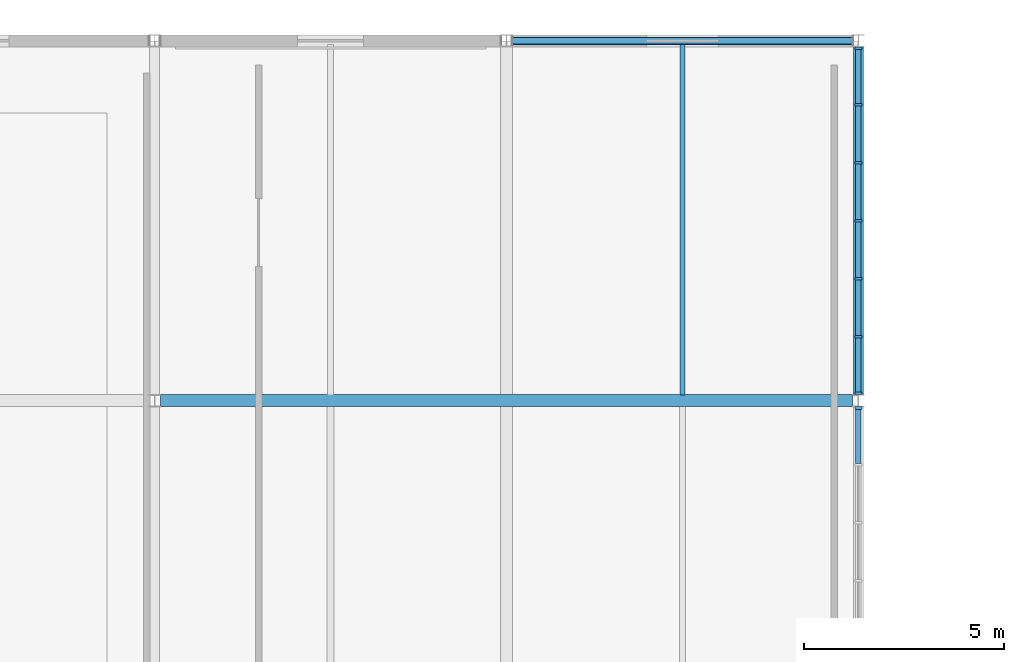
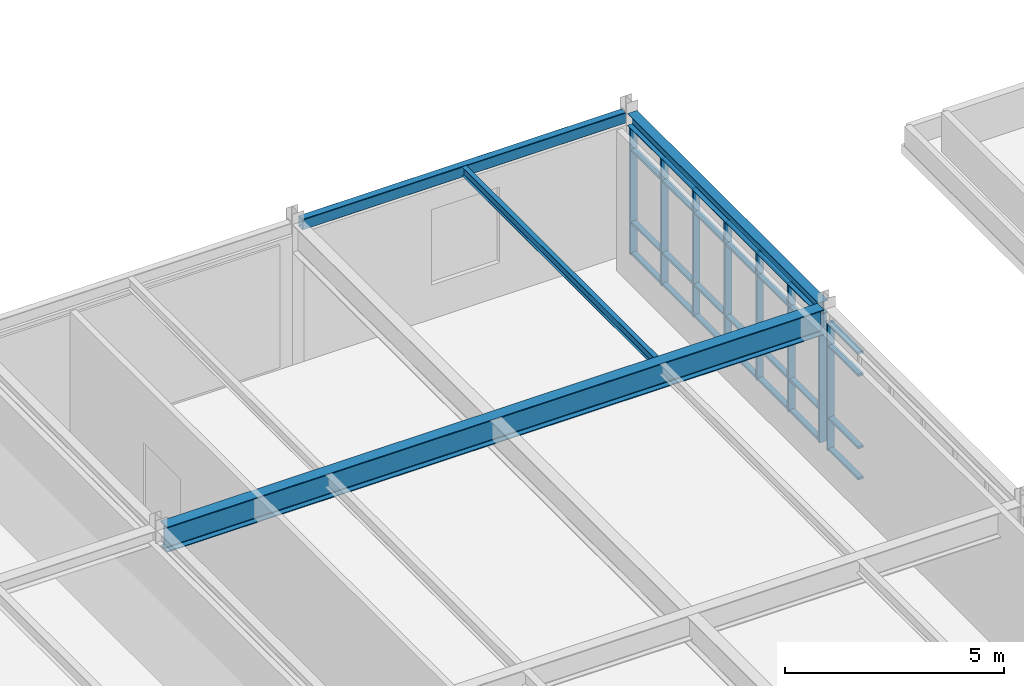
# One storey, part 35 of 88: 36 members, 4 beams, 2 elements without a shape of their own.
"""IFC4 building model written with IfcOpenShell, lengths in metres."""

from ifc_helpers import new_model, si_unit, direction, frame, origin, origin_2d, place, context, subcontext, project, spatial, rectangle, hollow_rectangle, i_section, extrude, material, material_profile, profile_set, type_object, element, aggregate, save


model = new_model("IFC4")

# Units and contexts
model_context = context("Model", 3, precision=1e-05, world=origin(), true_north=direction((0.0, 1.0)))
body_context = subcontext(model_context, "Body", "Model", "MODEL_VIEW")
ifc_project = project(units=[si_unit("LENGTHUNIT", "METRE"), si_unit("AREAUNIT", "SQUARE_METRE"), si_unit("VOLUMEUNIT", "CUBIC_METRE"), si_unit("PLANEANGLEUNIT", "RADIAN"), si_unit("MASSUNIT", "GRAM", prefix="KILO")], contexts=[model_context])

# Site, building, storey
site_placement = place(None, origin())
site = spatial("IfcSite", under=ifc_project, at=site_placement, CompositionType="ELEMENT")
building_placement = place(site_placement, origin())
building = spatial("IfcBuilding", under=site, at=building_placement, Name="Zhaolan Boulevard Law Courts", CompositionType="ELEMENT")
storey_placement = place(building_placement, frame((0.0, 0.0, 16.199951171875)))
storey = spatial("IfcBuildingStorey", under=building, at=storey_placement, Name="L03", CompositionType="ELEMENT", Elevation=16.199951171875)

# Curtain wall, member
ifc_material_1 = material(Name="Thermally broken aluminium and low-E glazing", Category="aluminium")
curtain_wall_type_1 = type_object("IfcCurtainWallType", Name="CURTAIN WALL M9", PredefinedType="USERDEFINED", material=ifc_material_1)
curtain_wall_1_placement = place(storey_placement, origin())
curtain_wall_1 = element("IfcCurtainWall", 1, at=curtain_wall_1_placement, inside=storey, type_object=curtain_wall_type_1, Name="Curtain Wall CW-L03-129", ObjectType="CURTAIN WALL", PredefinedType="USERDEFINED")
ifc_material_2 = material(Name="Fluorocarbon-coated aluminium 6063-T6", Category="aluminium")
ifc_material_profile_1 = material_profile(ifc_material_2, rectangle(XDim=0.179931640625, YDim=0.06494140625, at=origin_2d()), Name="AL65x180")
ifc_profile_set_1 = profile_set([ifc_material_profile_1], Name="Fluorocarbon-coated aluminium 6063-T6")
member_type_1 = type_object("IfcMemberType", Name="CWMULLION 65X180", PredefinedType="MULLION", material=ifc_profile_set_1)
member_1_placement = place(storey_placement, frame((44.0, 102.8154296875, 0.0), z_axis=(0.0, 0.0, 1.0), x_axis=(-1.0, 0.0, 0.0)))
member_1 = element("IfcMember", 2, at=member_1_placement, type_object=member_type_1, Name="CW-L03-129 mullion 7", PredefinedType="MULLION", context=body_context, shape_type="SweptSolid", body=[
    extrude(rectangle(XDim=0.179931640625, YDim=0.06494140625, at=origin_2d()), origin(), (0.0, 0.0, 1.0), 3.56298828125),
])

# Curtain wall, members
ifc_material_3 = material(Name="Thermally broken aluminium and low-E glazing", Category="aluminium")
curtain_wall_type_2 = type_object("IfcCurtainWallType", Name="CURTAIN WALL M10", PredefinedType="USERDEFINED", material=ifc_material_3)
curtain_wall_2_placement = place(storey_placement, origin())
curtain_wall_2 = element("IfcCurtainWall", 3, at=curtain_wall_2_placement, inside=storey, type_object=curtain_wall_type_2, Name="Curtain Wall CW-L03-130", ObjectType="CURTAIN WALL", PredefinedType="USERDEFINED")
member_2_placement = place(storey_placement, frame((44.0, 103.1845703125, 0.0), z_axis=(0.0, 0.0, 1.0), x_axis=(-1.0, 0.0, 0.0)))
member_2 = element("IfcMember", 4, at=member_2_placement, type_object=member_type_1, Name="CW-L03-130 mullion 1", PredefinedType="MULLION", context=body_context, shape_type="SweptSolid", body=[
    extrude(rectangle(XDim=0.179931640625, YDim=0.06494140625, at=origin_2d()), origin(), (0.0, 0.0, 1.0), 3.56298828125),
])
member_3_placement = place(storey_placement, frame((44.0, 104.601318359375, 0.0), z_axis=(0.0, 0.0, 1.0), x_axis=(-1.0, 0.0, 0.0)))
member_3 = element("IfcMember", 5, at=member_3_placement, type_object=member_type_1, Name="CW-L03-130 mullion 2", PredefinedType="MULLION", context=body_context, shape_type="SweptSolid", body=[
    extrude(rectangle(XDim=0.179931640625, YDim=0.06494140625, at=origin_2d()), origin(), (0.0, 0.0, 1.0), 3.56298828125),
])
member_4_placement = place(storey_placement, frame((44.0, 106.05078125, 0.0), z_axis=(0.0, 0.0, 1.0), x_axis=(-1.0, 0.0, 0.0)))
member_4 = element("IfcMember", 6, at=member_4_placement, type_object=member_type_1, Name="CW-L03-130 mullion 3", PredefinedType="MULLION", context=body_context, shape_type="SweptSolid", body=[
    extrude(rectangle(XDim=0.179931640625, YDim=0.06494140625, at=origin_2d()), origin(), (0.0, 0.0, 1.0), 3.56298828125),
])
member_5_placement = place(storey_placement, frame((44.0, 107.5, 0.0), z_axis=(0.0, 0.0, 1.0), x_axis=(-1.0, 0.0, 0.0)))
member_5 = element("IfcMember", 7, at=member_5_placement, type_object=member_type_1, Name="CW-L03-130 mullion 4", PredefinedType="MULLION", context=body_context, shape_type="SweptSolid", body=[
    extrude(rectangle(XDim=0.179931640625, YDim=0.06494140625, at=origin_2d()), origin(), (0.0, 0.0, 1.0), 3.56298828125),
])
member_6_placement = place(storey_placement, frame((44.0, 108.94921875, 0.0), z_axis=(0.0, 0.0, 1.0), x_axis=(-1.0, 0.0, 0.0)))
member_6 = element("IfcMember", 8, at=member_6_placement, type_object=member_type_1, Name="CW-L03-130 mullion 5", PredefinedType="MULLION", context=body_context, shape_type="SweptSolid", body=[
    extrude(rectangle(XDim=0.179931640625, YDim=0.06494140625, at=origin_2d()), origin(), (0.0, 0.0, 1.0), 3.56298828125),
])
member_7_placement = place(storey_placement, frame((44.0, 110.398681640625, 0.0), z_axis=(0.0, 0.0, 1.0), x_axis=(-1.0, 0.0, 0.0)))
member_7 = element("IfcMember", 9, at=member_7_placement, type_object=member_type_1, Name="CW-L03-130 mullion 6", PredefinedType="MULLION", context=body_context, shape_type="SweptSolid", body=[
    extrude(rectangle(XDim=0.179931640625, YDim=0.06494140625, at=origin_2d()), origin(), (0.0, 0.0, 1.0), 3.56298828125),
])
member_8_placement = place(storey_placement, frame((44.0, 111.8154296875, 0.0), z_axis=(0.0, 0.0, 1.0), x_axis=(-1.0, 0.0, 0.0)))
member_8 = element("IfcMember", 10, at=member_8_placement, type_object=member_type_1, Name="CW-L03-130 mullion 7", PredefinedType="MULLION", context=body_context, shape_type="SweptSolid", body=[
    extrude(rectangle(XDim=0.179931640625, YDim=0.06494140625, at=origin_2d()), origin(), (0.0, 0.0, 1.0), 3.56298828125),
])

# Member
ifc_material_4 = material(Name="Fluorocarbon-coated aluminium 6063-T6", Category="aluminium")
ifc_material_profile_2 = material_profile(ifc_material_4, rectangle(XDim=0.139892578125, YDim=0.06494140625, at=origin_2d()), Name="AL65x140")
ifc_profile_set_2 = profile_set([ifc_material_profile_2], Name="Fluorocarbon-coated aluminium 6063-T6")
member_type_2 = type_object("IfcMemberType", Name="CWTRANSOM 65X140", PredefinedType="USERDEFINED", material=ifc_profile_set_2)
member_9_placement = place(storey_placement, frame((44.0, 101.43115234375, 0.032470703125), z_axis=(0.0, 1.0, 0.0), x_axis=(-1.0, 0.0, 0.0)))
member_9 = element("IfcMember", 11, at=member_9_placement, type_object=member_type_2, Name="CW-L03-129 transom 6.1", ObjectType="TRANSOM", PredefinedType="USERDEFINED", context=body_context, shape_type="SweptSolid", body=[
    extrude(rectangle(XDim=0.139892578125, YDim=0.06494140625, at=origin_2d()), origin(), (0.0, 0.0, 1.0), 1.351806640625),
])

member_10_placement = place(storey_placement, frame((44.0, 101.43115234375, 0.900146484375), z_axis=(0.0, 1.0, 0.0), x_axis=(-1.0, 0.0, 0.0)))
member_10 = element("IfcMember", 12, at=member_10_placement, type_object=member_type_2, Name="CW-L03-129 transom 6.2", ObjectType="TRANSOM", PredefinedType="USERDEFINED", context=body_context, shape_type="SweptSolid", body=[
    extrude(rectangle(XDim=0.139892578125, YDim=0.06494140625, at=origin_2d()), origin(), (0.0, 0.0, 1.0), 1.351806640625),
])

member_11_placement = place(storey_placement, frame((44.0, 101.43115234375, 2.9130859375), z_axis=(0.0, 1.0, 0.0), x_axis=(-1.0, 0.0, 0.0)))
member_11 = element("IfcMember", 13, at=member_11_placement, type_object=member_type_2, Name="CW-L03-129 transom 6.3", ObjectType="TRANSOM", PredefinedType="USERDEFINED", context=body_context, shape_type="SweptSolid", body=[
    extrude(rectangle(XDim=0.139892578125, YDim=0.06494140625, at=origin_2d()), origin(), (0.0, 0.0, 1.0), 1.351806640625),
])

member_12_placement = place(storey_placement, frame((44.0, 101.43115234375, 3.530517578125), z_axis=(0.0, 1.0, 0.0), x_axis=(-1.0, 0.0, 0.0)))
member_12 = element("IfcMember", 14, at=member_12_placement, type_object=member_type_2, Name="CW-L03-129 transom 6.4", ObjectType="TRANSOM", PredefinedType="USERDEFINED", context=body_context, shape_type="SweptSolid", body=[
    extrude(rectangle(XDim=0.139892578125, YDim=0.06494140625, at=origin_2d()), origin(), (0.0, 0.0, 1.0), 1.351806640625),
])

aggregate(curtain_wall_1, [member_1, member_9, member_10, member_11, member_12])

member_13_placement = place(storey_placement, frame((44.0, 103.217041015625, 0.032470703125), z_axis=(0.0, 1.0, 0.0), x_axis=(-1.0, 0.0, 0.0)))
member_13 = element("IfcMember", 15, at=member_13_placement, type_object=member_type_2, Name="CW-L03-130 transom 1.1", ObjectType="TRANSOM", PredefinedType="USERDEFINED", context=body_context, shape_type="SweptSolid", body=[
    extrude(rectangle(XDim=0.139892578125, YDim=0.06494140625, at=origin_2d()), origin(), (0.0, 0.0, 1.0), 1.351806640625),
])

member_14_placement = place(storey_placement, frame((44.0, 103.217041015625, 0.900146484375), z_axis=(0.0, 1.0, 0.0), x_axis=(-1.0, 0.0, 0.0)))
member_14 = element("IfcMember", 16, at=member_14_placement, type_object=member_type_2, Name="CW-L03-130 transom 1.2", ObjectType="TRANSOM", PredefinedType="USERDEFINED", context=body_context, shape_type="SweptSolid", body=[
    extrude(rectangle(XDim=0.139892578125, YDim=0.06494140625, at=origin_2d()), origin(), (0.0, 0.0, 1.0), 1.351806640625),
])

member_15_placement = place(storey_placement, frame((44.0, 103.217041015625, 2.9130859375), z_axis=(0.0, 1.0, 0.0), x_axis=(-1.0, 0.0, 0.0)))
member_15 = element("IfcMember", 17, at=member_15_placement, type_object=member_type_2, Name="CW-L03-130 transom 1.3", ObjectType="TRANSOM", PredefinedType="USERDEFINED", context=body_context, shape_type="SweptSolid", body=[
    extrude(rectangle(XDim=0.139892578125, YDim=0.06494140625, at=origin_2d()), origin(), (0.0, 0.0, 1.0), 1.351806640625),
])

member_16_placement = place(storey_placement, frame((44.0, 103.217041015625, 3.530517578125), z_axis=(0.0, 1.0, 0.0), x_axis=(-1.0, 0.0, 0.0)))
member_16 = element("IfcMember", 18, at=member_16_placement, type_object=member_type_2, Name="CW-L03-130 transom 1.4", ObjectType="TRANSOM", PredefinedType="USERDEFINED", context=body_context, shape_type="SweptSolid", body=[
    extrude(rectangle(XDim=0.139892578125, YDim=0.06494140625, at=origin_2d()), origin(), (0.0, 0.0, 1.0), 1.351806640625),
])

member_17_placement = place(storey_placement, frame((44.0, 104.6337890625, 0.032470703125), z_axis=(0.0, 1.0, 0.0), x_axis=(-1.0, 0.0, 0.0)))
member_17 = element("IfcMember", 19, at=member_17_placement, type_object=member_type_2, Name="CW-L03-130 transom 2.1", ObjectType="TRANSOM", PredefinedType="USERDEFINED", context=body_context, shape_type="SweptSolid", body=[
    extrude(rectangle(XDim=0.139892578125, YDim=0.06494140625, at=origin_2d()), origin(), (0.0, 0.0, 1.0), 1.38427734375),
])

member_18_placement = place(storey_placement, frame((44.0, 104.6337890625, 0.900146484375), z_axis=(0.0, 1.0, 0.0), x_axis=(-1.0, 0.0, 0.0)))
member_18 = element("IfcMember", 20, at=member_18_placement, type_object=member_type_2, Name="CW-L03-130 transom 2.2", ObjectType="TRANSOM", PredefinedType="USERDEFINED", context=body_context, shape_type="SweptSolid", body=[
    extrude(rectangle(XDim=0.139892578125, YDim=0.06494140625, at=origin_2d()), origin(), (0.0, 0.0, 1.0), 1.38427734375),
])

member_19_placement = place(storey_placement, frame((44.0, 104.6337890625, 2.9130859375), z_axis=(0.0, 1.0, 0.0), x_axis=(-1.0, 0.0, 0.0)))
member_19 = element("IfcMember", 21, at=member_19_placement, type_object=member_type_2, Name="CW-L03-130 transom 2.3", ObjectType="TRANSOM", PredefinedType="USERDEFINED", context=body_context, shape_type="SweptSolid", body=[
    extrude(rectangle(XDim=0.139892578125, YDim=0.06494140625, at=origin_2d()), origin(), (0.0, 0.0, 1.0), 1.38427734375),
])

member_20_placement = place(storey_placement, frame((44.0, 104.6337890625, 3.530517578125), z_axis=(0.0, 1.0, 0.0), x_axis=(-1.0, 0.0, 0.0)))
member_20 = element("IfcMember", 22, at=member_20_placement, type_object=member_type_2, Name="CW-L03-130 transom 2.4", ObjectType="TRANSOM", PredefinedType="USERDEFINED", context=body_context, shape_type="SweptSolid", body=[
    extrude(rectangle(XDim=0.139892578125, YDim=0.06494140625, at=origin_2d()), origin(), (0.0, 0.0, 1.0), 1.38427734375),
])

member_21_placement = place(storey_placement, frame((44.0, 106.083251953125, 0.032470703125), z_axis=(0.0, 1.0, 0.0), x_axis=(-1.0, 0.0, 0.0)))
member_21 = element("IfcMember", 23, at=member_21_placement, type_object=member_type_2, Name="CW-L03-130 transom 3.1", ObjectType="TRANSOM", PredefinedType="USERDEFINED", context=body_context, shape_type="SweptSolid", body=[
    extrude(rectangle(XDim=0.139892578125, YDim=0.06494140625, at=origin_2d()), origin(), (0.0, 0.0, 1.0), 1.38427734375),
])

member_22_placement = place(storey_placement, frame((44.0, 106.083251953125, 0.900146484375), z_axis=(0.0, 1.0, 0.0), x_axis=(-1.0, 0.0, 0.0)))
member_22 = element("IfcMember", 24, at=member_22_placement, type_object=member_type_2, Name="CW-L03-130 transom 3.2", ObjectType="TRANSOM", PredefinedType="USERDEFINED", context=body_context, shape_type="SweptSolid", body=[
    extrude(rectangle(XDim=0.139892578125, YDim=0.06494140625, at=origin_2d()), origin(), (0.0, 0.0, 1.0), 1.38427734375),
])

member_23_placement = place(storey_placement, frame((44.0, 106.083251953125, 2.9130859375), z_axis=(0.0, 1.0, 0.0), x_axis=(-1.0, 0.0, 0.0)))
member_23 = element("IfcMember", 25, at=member_23_placement, type_object=member_type_2, Name="CW-L03-130 transom 3.3", ObjectType="TRANSOM", PredefinedType="USERDEFINED", context=body_context, shape_type="SweptSolid", body=[
    extrude(rectangle(XDim=0.139892578125, YDim=0.06494140625, at=origin_2d()), origin(), (0.0, 0.0, 1.0), 1.38427734375),
])

member_24_placement = place(storey_placement, frame((44.0, 106.083251953125, 3.530517578125), z_axis=(0.0, 1.0, 0.0), x_axis=(-1.0, 0.0, 0.0)))
member_24 = element("IfcMember", 26, at=member_24_placement, type_object=member_type_2, Name="CW-L03-130 transom 3.4", ObjectType="TRANSOM", PredefinedType="USERDEFINED", context=body_context, shape_type="SweptSolid", body=[
    extrude(rectangle(XDim=0.139892578125, YDim=0.06494140625, at=origin_2d()), origin(), (0.0, 0.0, 1.0), 1.38427734375),
])

member_25_placement = place(storey_placement, frame((44.0, 107.532470703125, 0.032470703125), z_axis=(0.0, 1.0, 0.0), x_axis=(-1.0, 0.0, 0.0)))
member_25 = element("IfcMember", 27, at=member_25_placement, type_object=member_type_2, Name="CW-L03-130 transom 4.1", ObjectType="TRANSOM", PredefinedType="USERDEFINED", context=body_context, shape_type="SweptSolid", body=[
    extrude(rectangle(XDim=0.139892578125, YDim=0.06494140625, at=origin_2d()), origin(), (0.0, 0.0, 1.0), 1.38427734375),
])

member_26_placement = place(storey_placement, frame((44.0, 107.532470703125, 0.900146484375), z_axis=(0.0, 1.0, 0.0), x_axis=(-1.0, 0.0, 0.0)))
member_26 = element("IfcMember", 28, at=member_26_placement, type_object=member_type_2, Name="CW-L03-130 transom 4.2", ObjectType="TRANSOM", PredefinedType="USERDEFINED", context=body_context, shape_type="SweptSolid", body=[
    extrude(rectangle(XDim=0.139892578125, YDim=0.06494140625, at=origin_2d()), origin(), (0.0, 0.0, 1.0), 1.38427734375),
])

member_27_placement = place(storey_placement, frame((44.0, 107.532470703125, 2.9130859375), z_axis=(0.0, 1.0, 0.0), x_axis=(-1.0, 0.0, 0.0)))
member_27 = element("IfcMember", 29, at=member_27_placement, type_object=member_type_2, Name="CW-L03-130 transom 4.3", ObjectType="TRANSOM", PredefinedType="USERDEFINED", context=body_context, shape_type="SweptSolid", body=[
    extrude(rectangle(XDim=0.139892578125, YDim=0.06494140625, at=origin_2d()), origin(), (0.0, 0.0, 1.0), 1.38427734375),
])

member_28_placement = place(storey_placement, frame((44.0, 107.532470703125, 3.530517578125), z_axis=(0.0, 1.0, 0.0), x_axis=(-1.0, 0.0, 0.0)))
member_28 = element("IfcMember", 30, at=member_28_placement, type_object=member_type_2, Name="CW-L03-130 transom 4.4", ObjectType="TRANSOM", PredefinedType="USERDEFINED", context=body_context, shape_type="SweptSolid", body=[
    extrude(rectangle(XDim=0.139892578125, YDim=0.06494140625, at=origin_2d()), origin(), (0.0, 0.0, 1.0), 1.38427734375),
])

member_29_placement = place(storey_placement, frame((44.0, 108.98193359375, 0.032470703125), z_axis=(0.0, 1.0, 0.0), x_axis=(-1.0, 0.0, 0.0)))
member_29 = element("IfcMember", 31, at=member_29_placement, type_object=member_type_2, Name="CW-L03-130 transom 5.1", ObjectType="TRANSOM", PredefinedType="USERDEFINED", context=body_context, shape_type="SweptSolid", body=[
    extrude(rectangle(XDim=0.139892578125, YDim=0.06494140625, at=origin_2d()), origin(), (0.0, 0.0, 1.0), 1.38427734375),
])

member_30_placement = place(storey_placement, frame((44.0, 108.98193359375, 0.900146484375), z_axis=(0.0, 1.0, 0.0), x_axis=(-1.0, 0.0, 0.0)))
member_30 = element("IfcMember", 32, at=member_30_placement, type_object=member_type_2, Name="CW-L03-130 transom 5.2", ObjectType="TRANSOM", PredefinedType="USERDEFINED", context=body_context, shape_type="SweptSolid", body=[
    extrude(rectangle(XDim=0.139892578125, YDim=0.06494140625, at=origin_2d()), origin(), (0.0, 0.0, 1.0), 1.38427734375),
])

member_31_placement = place(storey_placement, frame((44.0, 108.98193359375, 2.9130859375), z_axis=(0.0, 1.0, 0.0), x_axis=(-1.0, 0.0, 0.0)))
member_31 = element("IfcMember", 33, at=member_31_placement, type_object=member_type_2, Name="CW-L03-130 transom 5.3", ObjectType="TRANSOM", PredefinedType="USERDEFINED", context=body_context, shape_type="SweptSolid", body=[
    extrude(rectangle(XDim=0.139892578125, YDim=0.06494140625, at=origin_2d()), origin(), (0.0, 0.0, 1.0), 1.38427734375),
])

member_32_placement = place(storey_placement, frame((44.0, 108.98193359375, 3.530517578125), z_axis=(0.0, 1.0, 0.0), x_axis=(-1.0, 0.0, 0.0)))
member_32 = element("IfcMember", 34, at=member_32_placement, type_object=member_type_2, Name="CW-L03-130 transom 5.4", ObjectType="TRANSOM", PredefinedType="USERDEFINED", context=body_context, shape_type="SweptSolid", body=[
    extrude(rectangle(XDim=0.139892578125, YDim=0.06494140625, at=origin_2d()), origin(), (0.0, 0.0, 1.0), 1.38427734375),
])

member_33_placement = place(storey_placement, frame((44.0, 110.43115234375, 0.032470703125), z_axis=(0.0, 1.0, 0.0), x_axis=(-1.0, 0.0, 0.0)))
member_33 = element("IfcMember", 35, at=member_33_placement, type_object=member_type_2, Name="CW-L03-130 transom 6.1", ObjectType="TRANSOM", PredefinedType="USERDEFINED", context=body_context, shape_type="SweptSolid", body=[
    extrude(rectangle(XDim=0.139892578125, YDim=0.06494140625, at=origin_2d()), origin(), (0.0, 0.0, 1.0), 1.351806640625),
])

member_34_placement = place(storey_placement, frame((44.0, 110.43115234375, 0.900146484375), z_axis=(0.0, 1.0, 0.0), x_axis=(-1.0, 0.0, 0.0)))
member_34 = element("IfcMember", 36, at=member_34_placement, type_object=member_type_2, Name="CW-L03-130 transom 6.2", ObjectType="TRANSOM", PredefinedType="USERDEFINED", context=body_context, shape_type="SweptSolid", body=[
    extrude(rectangle(XDim=0.139892578125, YDim=0.06494140625, at=origin_2d()), origin(), (0.0, 0.0, 1.0), 1.351806640625),
])

member_35_placement = place(storey_placement, frame((44.0, 110.43115234375, 2.9130859375), z_axis=(0.0, 1.0, 0.0), x_axis=(-1.0, 0.0, 0.0)))
member_35 = element("IfcMember", 37, at=member_35_placement, type_object=member_type_2, Name="CW-L03-130 transom 6.3", ObjectType="TRANSOM", PredefinedType="USERDEFINED", context=body_context, shape_type="SweptSolid", body=[
    extrude(rectangle(XDim=0.139892578125, YDim=0.06494140625, at=origin_2d()), origin(), (0.0, 0.0, 1.0), 1.351806640625),
])

member_36_placement = place(storey_placement, frame((44.0, 110.43115234375, 3.530517578125), z_axis=(0.0, 1.0, 0.0), x_axis=(-1.0, 0.0, 0.0)))
member_36 = element("IfcMember", 38, at=member_36_placement, type_object=member_type_2, Name="CW-L03-130 transom 6.4", ObjectType="TRANSOM", PredefinedType="USERDEFINED", context=body_context, shape_type="SweptSolid", body=[
    extrude(rectangle(XDim=0.139892578125, YDim=0.06494140625, at=origin_2d()), origin(), (0.0, 0.0, 1.0), 1.351806640625),
])

aggregate(curtain_wall_2, [member_2, member_3, member_4, member_5, member_6, member_7, member_8, member_13, member_14, member_15, member_16, member_17, member_18, member_19, member_20, member_21, member_22, member_23, member_24, member_25, member_26, member_27, member_28, member_29, member_30, member_31, member_32, member_33, member_34, member_35, member_36])

# Beams
ifc_material_5 = material(Name="Structural steel Q355B", Category="steel")
ifc_material_profile_3 = material_profile(ifc_material_5, i_section(OverallWidth=0.25, OverallDepth=0.340087890625, WebThickness=0.009033203125, FlangeThickness=0.013916015625, FilletRadius=0.01611328125, at=origin_2d()), Name="HM340x250")
ifc_profile_set_3 = profile_set([ifc_material_profile_3], Name="Structural steel Q355B")
beam_type_1 = type_object("IfcBeamType", Name="GIRDER HM340", PredefinedType="BEAM", material=ifc_profile_set_3)
beam_1_placement = place(storey_placement, frame((44.0, 103.14599609375, 3.748046875), z_axis=(0.0, 1.0, 0.0), x_axis=(-1.0, 0.0, 0.0)))
element("IfcBeam", 39, at=beam_1_placement, inside=storey, type_object=beam_type_1, Name="Beam BY-L04-6-P-Q", PredefinedType="BEAM", context=body_context, shape_type="SweptSolid", body=[
    extrude(i_section(OverallWidth=0.25, OverallDepth=0.340087890625, WebThickness=0.009033203125, FlangeThickness=0.013916015625, FilletRadius=0.01611328125, at=origin_2d()), origin(), (0.0, 0.0, 1.0), 8.7080078125),
])
ifc_material_6 = material(Name="Structural steel Q390B", Category="steel")
ifc_material_profile_4 = material_profile(ifc_material_6, i_section(OverallWidth=0.300048828125, OverallDepth=0.699951171875, WebThickness=0.012939453125, FlangeThickness=0.02392578125, FilletRadius=0.02392578125, at=origin_2d()), Name="HN700x300")
ifc_profile_set_4 = profile_set([ifc_material_profile_4], Name="Structural steel Q390B")
beam_type_2 = type_object("IfcBeamType", Name="GIRDER HN700", PredefinedType="BEAM", material=ifc_profile_set_4)
beam_2_placement = place(storey_placement, frame((26.5458984375, 103.0, 3.568115234375), z_axis=(1.0, 0.0, 0.0), x_axis=(0.0, 1.0, 0.0)))
element("IfcBeam", 40, at=beam_2_placement, inside=storey, type_object=beam_type_2, Name="Beam BX-L04-4-6-P", PredefinedType="BEAM", context=body_context, shape_type="SweptSolid", body=[
    extrude(i_section(OverallWidth=0.300048828125, OverallDepth=0.699951171875, WebThickness=0.012939453125, FlangeThickness=0.02392578125, FilletRadius=0.02392578125, at=origin_2d()), origin(), (0.0, 0.0, 1.0), 17.30810546875),
])
ifc_material_7 = material(Name="Structural steel Q355B", Category="steel")
ifc_material_profile_5 = material_profile(ifc_material_7, i_section(OverallWidth=0.125, OverallDepth=0.25, WebThickness=0.006103515625, FlangeThickness=0.009033203125, FilletRadius=0.010009765625, at=origin_2d()), Name="HN250x125")
ifc_profile_set_5 = profile_set([ifc_material_profile_5], Name="Structural steel Q355B")
beam_type_3 = type_object("IfcBeamType", Name="JOIST HN250", PredefinedType="JOIST", material=ifc_profile_set_5)
beam_3_placement = place(storey_placement, frame((39.60009765625, 103.14599609375, 3.79296875), z_axis=(0.0, 1.0, 0.0), x_axis=(-1.0, 0.0, 0.0)))
element("IfcBeam", 41, at=beam_3_placement, inside=storey, type_object=beam_type_3, Name="Composite Joist J-L04-5P", PredefinedType="JOIST", context=body_context, shape_type="SweptSolid", body=[
    extrude(i_section(OverallWidth=0.125, OverallDepth=0.25, WebThickness=0.006103515625, FlangeThickness=0.009033203125, FilletRadius=0.010009765625, at=origin_2d()), origin(), (0.0, 0.0, 1.0), 8.758056640625),
])
ifc_material_8 = material(Name="Structural steel Q355B", Category="steel")
ifc_material_profile_6 = material_profile(ifc_material_8, hollow_rectangle(XDim=0.199951171875, YDim=0.300048828125, WallThickness=0.011962890625, InnerFilletRadius=0.011962890625, OuterFilletRadius=0.02392578125, at=origin_2d()), Name="HSS300x200x12")
ifc_profile_set_6 = profile_set([ifc_material_profile_6], Name="Structural steel Q355B")
beam_type_4 = type_object("IfcBeamType", Name="SPANDREL HSS300", PredefinedType="SPANDREL", material=ifc_profile_set_6)
beam_4_placement = place(storey_placement, frame((35.345947265625, 112.0, 3.76806640625), z_axis=(1.0, 0.0, 0.0), x_axis=(0.0, 1.0, 0.0)))
element("IfcBeam", 42, at=beam_4_placement, inside=storey, type_object=beam_type_4, Name="Beam BX-L04-5-6-Q", PredefinedType="SPANDREL", context=body_context, shape_type="SweptSolid", body=[
    extrude(hollow_rectangle(XDim=0.199951171875, YDim=0.300048828125, WallThickness=0.011962890625, InnerFilletRadius=0.011962890625, OuterFilletRadius=0.02392578125, at=origin_2d()), origin(), (0.0, 0.0, 1.0), 8.508056640625),
])

save(model, "model.ifc")
